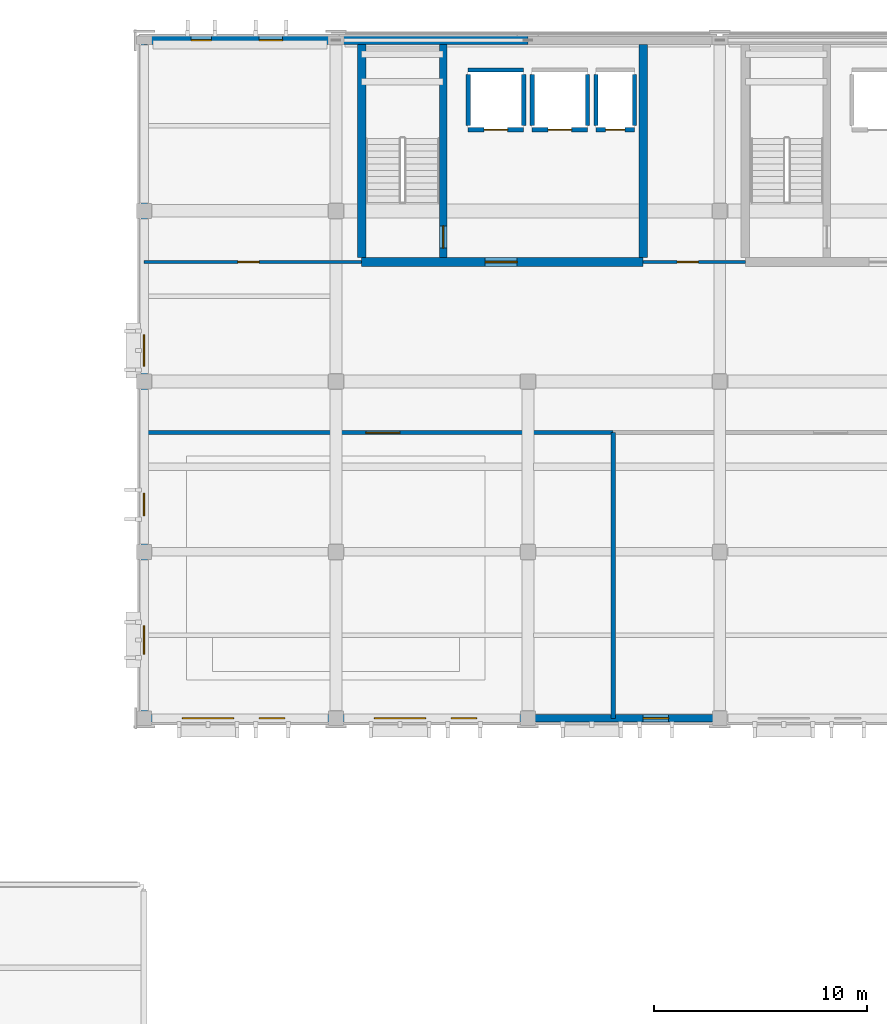
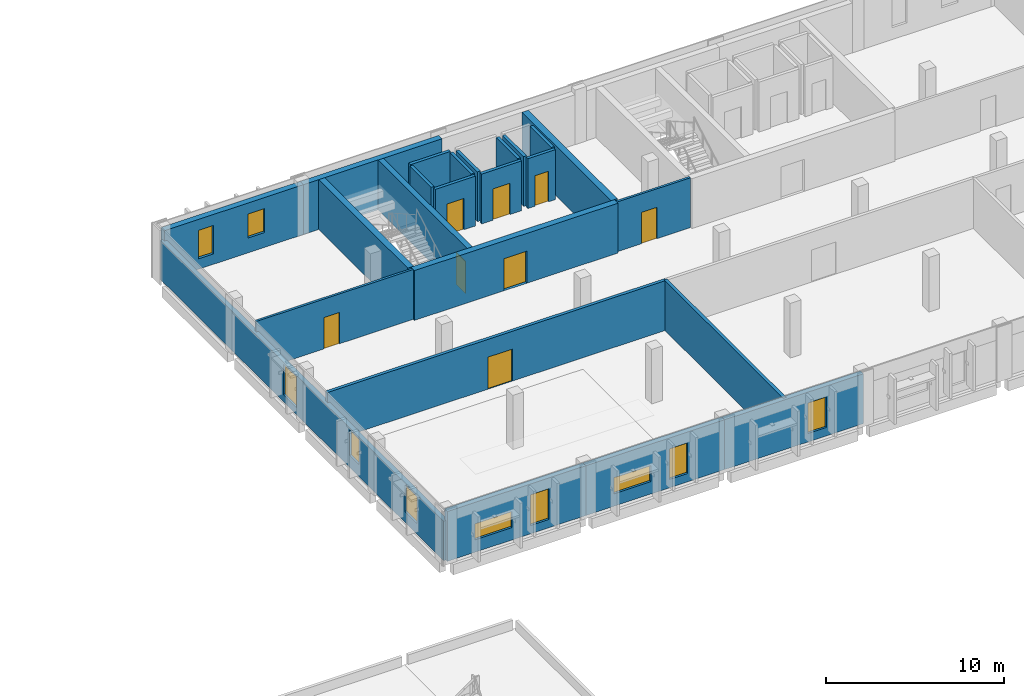
# One storey, part 52 of 73: 24 walls, 10 windows, 8 doors, 18 openings.
"""IFC4 building model written with IfcOpenShell, lengths in metres."""

from ifc_helpers import new_model, si_unit, direction, frame, frame_2d, origin, place, context, subcontext, project, spatial, rectangle, extrude, material, layer, layer_set, type_object, element, fill, save


model = new_model("IFC4")

# Units and contexts
model_context = context("Model", 3, precision=1e-05, world=origin(), true_north=direction((0.0, 1.0)))
body_context = subcontext(model_context, "Body", "Model", "MODEL_VIEW")
ifc_project = project(units=[si_unit("LENGTHUNIT", "METRE"), si_unit("AREAUNIT", "SQUARE_METRE"), si_unit("VOLUMEUNIT", "CUBIC_METRE"), si_unit("PLANEANGLEUNIT", "RADIAN"), si_unit("MASSUNIT", "GRAM", prefix="KILO")], contexts=[model_context])

# Site, building, storey
site_placement = place(None, origin())
site = spatial("IfcSite", under=ifc_project, at=site_placement, CompositionType="ELEMENT")
building_placement = place(site_placement, origin())
building = spatial("IfcBuilding", under=site, at=building_placement, Name="Vervanel Yard Central Library", CompositionType="ELEMENT")
storey_placement = place(building_placement, frame((0.0, 0.0, 12.780029296875)))
storey = spatial("IfcBuildingStorey", under=building, at=storey_placement, Name="L03", CompositionType="ELEMENT", Elevation=12.780029296875)

# Wall, openings, windows
ifc_material_1 = material(Name="Precast concrete C45/55", Category="concrete")
ifc_layer_1 = layer(ifc_material_1, 0.300048828125, Category="concrete")
ifc_layer_set_1 = layer_set([ifc_layer_1], Name="Precast concrete C45/55")
wall_type_1 = type_object("IfcWallType", Name="Bush-Hammered Precast Cladding Wall 300", PredefinedType="SOLIDWALL", material=ifc_layer_set_1)
wall_1_placement = place(storey_placement, frame((36.0, 82.199951171875, 0.0), z_axis=(0.0, 0.0, 1.0), x_axis=(0.0, 1.0, 0.0)))
wall_1 = element("IfcWall", 1, at=wall_1_placement, inside=storey, type_object=wall_type_1, Name="L03 Bush-Hammered Precast Cladding Wall 300 EWALL-L03-0056", PredefinedType="SOLIDWALL", context=body_context, shape_type="SweptSolid", body=[
    extrude(rectangle(XDim=31.800048828125, YDim=0.300048828125, at=frame_2d((15.89990234375, 0.0))), origin(), (0.0, 0.0, 1.0), 2.705078125),
])
opening_1_placement = place(wall_1_placement, frame((3.0, 0.0, 0.735107421875)))
opening_1 = element("IfcOpeningElement", 2, at=opening_1_placement, cuts=wall_1, Name="Opening WN-17", PredefinedType="OPENING", context=body_context, shape_type="SweptSolid", body=[
    extrude(rectangle(XDim=1.35009765625, YDim=1.85009765625, at=frame_2d((0.675048828125, 0.925048828125))), frame((0.0, 0.159912109375, 0.0), z_axis=(0.0, -1.0, 0.0), x_axis=(1.0, 0.0, 0.0)), (0.0, 0.0, 1.0), 0.320068359375),
])
opening_2_placement = place(wall_1_placement, frame((9.5, 0.0, 0.8349609375)))
opening_2 = element("IfcOpeningElement", 3, at=opening_2_placement, cuts=wall_1, Name="Opening WN-16", PredefinedType="OPENING", context=body_context, shape_type="SweptSolid", body=[
    extrude(rectangle(XDim=1.050048828125, YDim=1.75, at=frame_2d((0.52490234375, 0.875))), frame((0.0, 0.159912109375, 0.0), z_axis=(0.0, -1.0, 0.0), x_axis=(1.0, 0.0, 0.0)), (0.0, 0.0, 1.0), 0.320068359375),
])
opening_3_placement = place(wall_1_placement, frame((16.5, 0.0, 0.485107421875)))
opening_3 = element("IfcOpeningElement", 4, at=opening_3_placement, cuts=wall_1, Name="Opening WN-02", PredefinedType="OPENING", context=body_context, shape_type="SweptSolid", body=[
    extrude(rectangle(XDim=1.5, YDim=2.10009765625, at=frame_2d((0.75, 1.050048828125))), frame((0.0, 0.159912109375, 0.0), z_axis=(0.0, -1.0, 0.0), x_axis=(1.0, 0.0, 0.0)), (0.0, 0.0, 1.0), 0.320068359375),
])
ifc_material_2 = material(Name="Double low-E laminated solar-control glass", Category="glass")
window_type_1 = type_object("IfcWindowType", Name="Archive Office Window 1350x1850", PartitioningType="SINGLE_PANEL", PredefinedType="WINDOW", material=ifc_material_2)
window_1_placement = place(opening_1_placement, origin())
window_1 = element("IfcWindow", 5, at=window_1_placement, inside=storey, type_object=window_type_1, Name="L03 Archive Office Window 1350x1850 78", OverallHeight=1.85009765625, OverallWidth=1.35009765625, PartitioningType="SINGLE_PANEL", PredefinedType="WINDOW", context=body_context, shape_type="SweptSolid", body=[
    extrude(rectangle(XDim=1.35009765625, YDim=1.85009765625, at=frame_2d((0.675048828125, 0.925048828125))), frame((0.0, 0.030029296875, 0.0), z_axis=(0.0, -1.0, 0.0), x_axis=(1.0, 0.0, 0.0)), (0.0, 0.0, 1.0), 0.06005859375),
])
fill(opening_1, window_1)
window_type_2 = type_object("IfcWindowType", Name="Reading Bay Window 1500x2100", PartitioningType="SINGLE_PANEL", PredefinedType="WINDOW", material=ifc_material_2)
window_2_placement = place(opening_3_placement, origin())
window_2 = element("IfcWindow", 6, at=window_2_placement, inside=storey, type_object=window_type_2, Name="L03 Reading Bay Window 1500x2100 80", OverallHeight=2.10009765625, OverallWidth=1.5, PartitioningType="SINGLE_PANEL", PredefinedType="WINDOW", context=body_context, shape_type="SweptSolid", body=[
    extrude(rectangle(XDim=1.5, YDim=2.10009765625, at=frame_2d((0.75, 1.050048828125))), frame((0.0, 0.030029296875, 0.0), z_axis=(0.0, -1.0, 0.0), x_axis=(1.0, 0.0, 0.0)), (0.0, 0.0, 1.0), 0.06005859375),
])
fill(opening_3, window_2)
window_type_3 = type_object("IfcWindowType", Name="Study Carrel Punch Window 1050x1750", PartitioningType="SINGLE_PANEL", PredefinedType="WINDOW", material=ifc_material_2)
window_3_placement = place(opening_2_placement, origin())
window_3 = element("IfcWindow", 7, at=window_3_placement, inside=storey, type_object=window_type_3, Name="L03 Study Carrel Punch Window 1050x1750 79", OverallHeight=1.75, OverallWidth=1.050048828125, PartitioningType="SINGLE_PANEL", PredefinedType="WINDOW", context=body_context, shape_type="SweptSolid", body=[
    extrude(rectangle(XDim=1.050048828125, YDim=1.75, at=frame_2d((0.52490234375, 0.875))), frame((0.0, 0.030029296875, 0.0), z_axis=(0.0, -1.0, 0.0), x_axis=(1.0, 0.0, 0.0)), (0.0, 0.0, 1.0), 0.06005859375),
])
fill(opening_2, window_3)

# Wall, opening, door
ifc_material_3 = material(Name="Concrete C45/55", Category="concrete")
ifc_layer_2 = layer(ifc_material_3, 0.39990234375, Category="concrete")
ifc_layer_set_2 = layer_set([ifc_layer_2], Name="Concrete C45/55")
wall_type_2 = type_object("IfcWallType", Name="Core Primary Shear Wall 400", PredefinedType="SHEAR", material=ifc_layer_set_2)
wall_2_placement = place(storey_placement, frame((46.199951171875, 103.60009765625, 0.0), z_axis=(0.0, 0.0, 1.0), x_axis=(1.0, 0.0, 0.0)))
wall_2 = element("IfcWall", 8, at=wall_2_placement, inside=storey, type_object=wall_type_2, Name="L03 CORE-A Shear Wall S", PredefinedType="SHEAR", context=body_context, shape_type="SweptSolid", body=[
    extrude(rectangle(XDim=13.199951171875, YDim=0.39990234375, at=frame_2d((6.60009765625, 0.0))), origin(), (0.0, 0.0, 1.0), 3.419921875),
])
opening_4_placement = place(wall_2_placement, frame((5.800048828125, 0.0, 0.0)))
opening_4 = element("IfcOpeningElement", 9, at=opening_4_placement, cuts=wall_2, Name="Opening DR-F02", PredefinedType="OPENING", context=body_context, shape_type="SweptSolid", body=[
    extrude(rectangle(XDim=1.5, YDim=2.199951171875, at=frame_2d((0.75, 1.10009765625))), frame((0.0, 0.2099609375, 0.0), z_axis=(0.0, -1.0, 0.0), x_axis=(1.0, 0.0, 0.0)), (0.0, 0.0, 1.0), 0.419921875),
])
ifc_material_4 = material(Name="Galvanized painted steelwork ASTM A500 Grade C", Category="steel")
door_type_1 = type_object("IfcDoorType", Name="Fire-Rated Lobby Door 1500x2200", OperationType="NOTDEFINED", PredefinedType="DOOR", material=ifc_material_4)
door_1_placement = place(opening_4_placement, origin())
door_1 = element("IfcDoor", 10, at=door_1_placement, inside=storey, type_object=door_type_1, Name="L03 CORE-A Lobby Fire Door", OperationType="DOUBLE_DOOR_SINGLE_SWING", OverallHeight=2.199951171875, OverallWidth=1.5, PredefinedType="DOOR", context=body_context, shape_type="SweptSolid", body=[
    extrude(rectangle(XDim=1.5, YDim=2.199951171875, at=frame_2d((0.75, 1.10009765625))), frame((0.0, 0.02490234375, 0.0), z_axis=(0.0, -1.0, 0.0), x_axis=(1.0, 0.0, 0.0)), (0.0, 0.0, 1.0), 0.050048828125),
])
fill(opening_4, door_1)

# Walls
for number, where, z_axis, x_axis, name in (
    (11, (46.199951171875, 103.800048828125, 0.0), (0.0, 0.0, 1.0), (0.0, 1.0, 0.0), "L03 CORE-A Shear Wall W"),
    (12, (59.39990234375, 103.800048828125, 0.0), (0.0, 0.0, 1.0), (0.0, 1.0, 0.0), "L03 CORE-A Shear Wall E"),
):
    element("IfcWall", number, at=place(storey_placement, frame(where, z_axis=z_axis, x_axis=x_axis)), inside=storey, type_object=wall_type_2, Name=name, PredefinedType="SHEAR", context=body_context, shape_type="SweptSolid", body=[
        extrude(rectangle(XDim=10.010009765625, YDim=0.39990234375, at=frame_2d((5.0048828125, 0.0))), origin(), (0.0, 0.0, 1.0), 3.419921875),
    ])

# Wall, opening, door
ifc_layer_3 = layer(ifc_material_3, 0.35009765625, Category="concrete")
ifc_layer_set_3 = layer_set([ifc_layer_3], Name="Concrete C45/55")
wall_type_3 = type_object("IfcWallType", Name="Core Secondary Shear Wall 350", PredefinedType="SHEAR", material=ifc_layer_set_3)
wall_3_placement = place(storey_placement, frame((50.02490234375, 103.800048828125, 0.0), z_axis=(0.0, 0.0, 1.0), x_axis=(0.0, 1.0, 0.0)))
wall_3 = element("IfcWall", 13, at=wall_3_placement, inside=storey, type_object=wall_type_3, Name="L03 CORE-A Stair Shaft Wall", PredefinedType="SHEAR", context=body_context, shape_type="SweptSolid", body=[
    extrude(rectangle(XDim=10.010009765625, YDim=0.35009765625, at=frame_2d((5.0048828125, 0.0))), origin(), (0.0, 0.0, 1.0), 3.419921875),
])
opening_5_placement = place(wall_3_placement, frame((0.449951171875, 0.0, 0.0)))
opening_5 = element("IfcOpeningElement", 14, at=opening_5_placement, cuts=wall_3, Name="Opening DR-F01", PredefinedType="OPENING", context=body_context, shape_type="SweptSolid", body=[
    extrude(rectangle(XDim=1.050048828125, YDim=2.199951171875, at=frame_2d((0.52490234375, 1.10009765625))), frame((0.0, 0.18505859375, 0.0), z_axis=(0.0, -1.0, 0.0), x_axis=(1.0, 0.0, 0.0)), (0.0, 0.0, 1.0), 0.3701171875),
])
door_type_2 = type_object("IfcDoorType", Name="Fire-Rated Stair Exit Door 1050x2200", OperationType="NOTDEFINED", PredefinedType="DOOR", material=ifc_material_4)
door_2_placement = place(opening_5_placement, origin())
door_2 = element("IfcDoor", 15, at=door_2_placement, inside=storey, type_object=door_type_2, Name="L03 CORE-A Stair Door", OperationType="SINGLE_SWING_RIGHT", OverallHeight=2.199951171875, OverallWidth=1.050048828125, PredefinedType="DOOR", context=body_context, shape_type="SweptSolid", body=[
    extrude(rectangle(XDim=1.050048828125, YDim=2.199951171875, at=frame_2d((0.52490234375, 1.10009765625))), frame((0.0, 0.02490234375, 0.0), z_axis=(0.0, -1.0, 0.0), x_axis=(1.0, 0.0, 0.0)), (0.0, 0.0, 1.0), 0.050048828125),
])
fill(opening_5, door_2)

# Wall, openings, windows
ifc_layer_4 = layer(ifc_material_3, 0.340087890625, Category="concrete")
ifc_layer_set_4 = layer_set([ifc_layer_4], Name="Concrete C45/55")
wall_type_4 = type_object("IfcWallType", Name="Exterior Bearing Concrete Frame Wall 340", PredefinedType="SOLIDWALL", material=ifc_layer_set_4)
wall_4_placement = place(storey_placement, frame((36.0, 82.199951171875, 0.0), z_axis=(0.0, 0.0, 1.0), x_axis=(1.0, 0.0, 0.0)))
wall_4 = element("IfcWall", 16, at=wall_4_placement, inside=storey, type_object=wall_type_4, Name="L03 Exterior Bearing Concrete Frame Wall 340 EWALL-L03-0050", PredefinedType="SOLIDWALL", context=body_context, shape_type="SweptSolid", body=[
    extrude(rectangle(XDim=9.0, YDim=0.340087890625, at=frame_2d((4.5, 0.0))), origin(), (0.0, 0.0, 1.0), 3.419921875),
])
opening_6_placement = place(wall_4_placement, frame((1.800048828125, 0.0, 0.85009765625)))
opening_6 = element("IfcOpeningElement", 17, at=opening_6_placement, cuts=wall_4, Name="Opening WN-06", PredefinedType="OPENING", context=body_context, shape_type="SweptSolid", body=[
    extrude(rectangle(XDim=2.39990234375, YDim=1.10009765625, at=frame_2d((1.199951171875, 0.550048828125))), frame((0.0, 0.179931640625, 0.0), z_axis=(0.0, -1.0, 0.0), x_axis=(1.0, 0.0, 0.0)), (0.0, 0.0, 1.0), 0.360107421875),
])
opening_7_placement = place(wall_4_placement, frame((5.39990234375, 0.0, 0.574951171875)))
opening_7 = element("IfcOpeningElement", 18, at=opening_7_placement, cuts=wall_4, Name="Opening WN-01", PredefinedType="OPENING", context=body_context, shape_type="SweptSolid", body=[
    extrude(rectangle(XDim=1.199951171875, YDim=2.10009765625, at=frame_2d((0.60009765625, 1.050048828125))), frame((0.0, 0.179931640625, 0.0), z_axis=(0.0, -1.0, 0.0), x_axis=(1.0, 0.0, 0.0)), (0.0, 0.0, 1.0), 0.360107421875),
])
window_type_4 = type_object("IfcWindowType", Name="Reading Slot Window 1200x2100", PartitioningType="SINGLE_PANEL", PredefinedType="WINDOW", material=ifc_material_2)
window_4_placement = place(opening_7_placement, origin())
window_4 = element("IfcWindow", 19, at=window_4_placement, inside=storey, type_object=window_type_4, Name="L03 Reading Slot Window 1200x2100 67", OverallHeight=2.10009765625, OverallWidth=1.199951171875, PartitioningType="SINGLE_PANEL", PredefinedType="WINDOW", context=body_context, shape_type="SweptSolid", body=[
    extrude(rectangle(XDim=1.199951171875, YDim=2.10009765625, at=frame_2d((0.60009765625, 1.050048828125))), frame((0.0, 0.030029296875, 0.0), z_axis=(0.0, -1.0, 0.0), x_axis=(1.0, 0.0, 0.0)), (0.0, 0.0, 1.0), 0.06005859375),
])
fill(opening_7, window_4)
window_type_5 = type_object("IfcWindowType", Name="Stack Clerestory Ribbon Window 2400x1100", PartitioningType="SINGLE_PANEL", PredefinedType="WINDOW", material=ifc_material_2)
window_5_placement = place(opening_6_placement, origin())
window_5 = element("IfcWindow", 20, at=window_5_placement, inside=storey, type_object=window_type_5, Name="L03 Stack Clerestory Ribbon Window 2400x1100 66", OverallHeight=1.10009765625, OverallWidth=2.39990234375, PartitioningType="SINGLE_PANEL", PredefinedType="WINDOW", context=body_context, shape_type="SweptSolid", body=[
    extrude(rectangle(XDim=2.39990234375, YDim=1.10009765625, at=frame_2d((1.199951171875, 0.550048828125))), frame((0.0, 0.030029296875, 0.0), z_axis=(0.0, -1.0, 0.0), x_axis=(1.0, 0.0, 0.0)), (0.0, 0.0, 1.0), 0.06005859375),
])
fill(opening_6, window_5)

wall_5_placement = place(storey_placement, frame((45.0, 82.199951171875, 0.0), z_axis=(0.0, 0.0, 1.0), x_axis=(1.0, 0.0, 0.0)))
wall_5 = element("IfcWall", 21, at=wall_5_placement, inside=storey, type_object=wall_type_4, Name="L03 Exterior Bearing Concrete Frame Wall 340 EWALL-L03-0051", PredefinedType="SOLIDWALL", context=body_context, shape_type="SweptSolid", body=[
    extrude(rectangle(XDim=9.0, YDim=0.340087890625, at=frame_2d((4.5, 0.0))), origin(), (0.0, 0.0, 1.0), 3.419921875),
])
opening_8_placement = place(wall_5_placement, frame((1.800048828125, 0.0, 0.85009765625)))
opening_8 = element("IfcOpeningElement", 22, at=opening_8_placement, cuts=wall_5, Name="Opening WN-06", PredefinedType="OPENING", context=body_context, shape_type="SweptSolid", body=[
    extrude(rectangle(XDim=2.39990234375, YDim=1.10009765625, at=frame_2d((1.199951171875, 0.550048828125))), frame((0.0, 0.179931640625, 0.0), z_axis=(0.0, -1.0, 0.0), x_axis=(1.0, 0.0, 0.0)), (0.0, 0.0, 1.0), 0.360107421875),
])
opening_9_placement = place(wall_5_placement, frame((5.39990234375, 0.0, 0.574951171875)))
opening_9 = element("IfcOpeningElement", 23, at=opening_9_placement, cuts=wall_5, Name="Opening WN-01", PredefinedType="OPENING", context=body_context, shape_type="SweptSolid", body=[
    extrude(rectangle(XDim=1.199951171875, YDim=2.10009765625, at=frame_2d((0.60009765625, 1.050048828125))), frame((0.0, 0.179931640625, 0.0), z_axis=(0.0, -1.0, 0.0), x_axis=(1.0, 0.0, 0.0)), (0.0, 0.0, 1.0), 0.360107421875),
])
window_6_placement = place(opening_9_placement, origin())
window_6 = element("IfcWindow", 24, at=window_6_placement, inside=storey, type_object=window_type_4, Name="L03 Reading Slot Window 1200x2100 69", OverallHeight=2.10009765625, OverallWidth=1.199951171875, PartitioningType="SINGLE_PANEL", PredefinedType="WINDOW", context=body_context, shape_type="SweptSolid", body=[
    extrude(rectangle(XDim=1.199951171875, YDim=2.10009765625, at=frame_2d((0.60009765625, 1.050048828125))), frame((0.0, 0.030029296875, 0.0), z_axis=(0.0, -1.0, 0.0), x_axis=(1.0, 0.0, 0.0)), (0.0, 0.0, 1.0), 0.06005859375),
])
fill(opening_9, window_6)
window_7_placement = place(opening_8_placement, origin())
window_7 = element("IfcWindow", 25, at=window_7_placement, inside=storey, type_object=window_type_5, Name="L03 Stack Clerestory Ribbon Window 2400x1100 68", OverallHeight=1.10009765625, OverallWidth=2.39990234375, PartitioningType="SINGLE_PANEL", PredefinedType="WINDOW", context=body_context, shape_type="SweptSolid", body=[
    extrude(rectangle(XDim=2.39990234375, YDim=1.10009765625, at=frame_2d((1.199951171875, 0.550048828125))), frame((0.0, 0.030029296875, 0.0), z_axis=(0.0, -1.0, 0.0), x_axis=(1.0, 0.0, 0.0)), (0.0, 0.0, 1.0), 0.06005859375),
])
fill(opening_8, window_7)

# Wall, opening, window
wall_6_placement = place(storey_placement, frame((54.0, 82.199951171875, 0.0), z_axis=(0.0, 0.0, 1.0), x_axis=(1.0, 0.0, 0.0)))
wall_6 = element("IfcWall", 26, at=wall_6_placement, inside=storey, type_object=wall_type_4, Name="L03 Exterior Bearing Concrete Frame Wall 340 EWALL-L03-0052", PredefinedType="SOLIDWALL", context=body_context, shape_type="SweptSolid", body=[
    extrude(rectangle(XDim=9.0, YDim=0.340087890625, at=frame_2d((4.5, 0.0))), origin(), (0.0, 0.0, 1.0), 3.419921875),
])
opening_10_placement = place(wall_6_placement, frame((5.39990234375, 0.0, 0.574951171875)))
opening_10 = element("IfcOpeningElement", 27, at=opening_10_placement, cuts=wall_6, Name="Opening WN-01", PredefinedType="OPENING", context=body_context, shape_type="SweptSolid", body=[
    extrude(rectangle(XDim=1.199951171875, YDim=2.10009765625, at=frame_2d((0.60009765625, 1.050048828125))), frame((0.0, 0.179931640625, 0.0), z_axis=(0.0, -1.0, 0.0), x_axis=(1.0, 0.0, 0.0)), (0.0, 0.0, 1.0), 0.360107421875),
])
window_8_placement = place(opening_10_placement, origin())
window_8 = element("IfcWindow", 28, at=window_8_placement, inside=storey, type_object=window_type_4, Name="L03 Reading Slot Window 1200x2100 71", OverallHeight=2.10009765625, OverallWidth=1.199951171875, PartitioningType="SINGLE_PANEL", PredefinedType="WINDOW", context=body_context, shape_type="SweptSolid", body=[
    extrude(rectangle(XDim=1.199951171875, YDim=2.10009765625, at=frame_2d((0.60009765625, 1.050048828125))), frame((0.0, 0.030029296875, 0.0), z_axis=(0.0, -1.0, 0.0), x_axis=(1.0, 0.0, 0.0)), (0.0, 0.0, 1.0), 0.06005859375),
])
fill(opening_10, window_8)

# Wall, openings, windows
ifc_layer_5 = layer(ifc_material_3, 0.3798828125, Category="concrete")
ifc_layer_set_5 = layer_set([ifc_layer_5], Name="Concrete C45/55")
wall_type_5 = type_object("IfcWallType", Name="Exterior Bearing Concrete Spine Wall 380", PredefinedType="SOLIDWALL", material=ifc_layer_set_5)
wall_7_placement = place(storey_placement, frame((36.0, 114.0, 0.0), z_axis=(0.0, 0.0, 1.0), x_axis=(1.0, 0.0, 0.0)))
wall_7 = element("IfcWall", 29, at=wall_7_placement, inside=storey, type_object=wall_type_5, Name="L03 Exterior Bearing Concrete Spine Wall 380 EWALL-L03-0044", PredefinedType="SOLIDWALL", context=body_context, shape_type="SweptSolid", body=[
    extrude(rectangle(XDim=9.0, YDim=0.3798828125, at=frame_2d((4.5, 0.0))), origin(), (0.0, 0.0, 1.0), 3.419921875),
])
opening_11_placement = place(wall_7_placement, frame((2.199951171875, 0.0, 0.715087890625)))
opening_11 = element("IfcOpeningElement", 30, at=opening_11_placement, cuts=wall_7, Name="Opening WN-22", PredefinedType="OPENING", context=body_context, shape_type="SweptSolid", body=[
    extrude(rectangle(XDim=0.9599609375, YDim=1.949951171875, at=frame_2d((0.47998046875, 0.97509765625))), frame((0.0, 0.199951171875, 0.0), z_axis=(0.0, -1.0, 0.0), x_axis=(1.0, 0.0, 0.0)), (0.0, 0.0, 1.0), 0.39990234375),
])
opening_12_placement = place(wall_7_placement, frame((5.39990234375, 0.0, 1.014892578125)))
opening_12 = element("IfcOpeningElement", 31, at=opening_12_placement, cuts=wall_7, Name="Opening WN-28", PredefinedType="OPENING", context=body_context, shape_type="SweptSolid", body=[
    extrude(rectangle(XDim=1.10009765625, YDim=1.64990234375, at=frame_2d((0.550048828125, 0.824951171875))), frame((0.0, 0.199951171875, 0.0), z_axis=(0.0, -1.0, 0.0), x_axis=(1.0, 0.0, 0.0)), (0.0, 0.0, 1.0), 0.39990234375),
])
window_type_6 = type_object("IfcWindowType", Name="Stack Upper Window 960x1950", PartitioningType="SINGLE_PANEL", PredefinedType="WINDOW", material=ifc_material_2)
window_9_placement = place(opening_11_placement, origin())
window_9 = element("IfcWindow", 32, at=window_9_placement, inside=storey, type_object=window_type_6, Name="L03 Stack Upper Window 960x1950 62", OverallHeight=1.949951171875, OverallWidth=0.9599609375, PartitioningType="SINGLE_PANEL", PredefinedType="WINDOW", context=body_context, shape_type="SweptSolid", body=[
    extrude(rectangle(XDim=0.9599609375, YDim=1.949951171875, at=frame_2d((0.47998046875, 0.97509765625))), frame((0.0, 0.030029296875, 0.0), z_axis=(0.0, -1.0, 0.0), x_axis=(1.0, 0.0, 0.0)), (0.0, 0.0, 1.0), 0.06005859375),
])
fill(opening_11, window_9)
window_type_7 = type_object("IfcWindowType", Name="Vault Vestibule Window 1100x1650", PartitioningType="SINGLE_PANEL", PredefinedType="WINDOW", material=ifc_material_2)
window_10_placement = place(opening_12_placement, origin())
window_10 = element("IfcWindow", 33, at=window_10_placement, inside=storey, type_object=window_type_7, Name="L03 Vault Vestibule Window 1100x1650 63", OverallHeight=1.64990234375, OverallWidth=1.10009765625, PartitioningType="SINGLE_PANEL", PredefinedType="WINDOW", context=body_context, shape_type="SweptSolid", body=[
    extrude(rectangle(XDim=1.10009765625, YDim=1.64990234375, at=frame_2d((0.550048828125, 0.824951171875))), frame((0.0, 0.030029296875, 0.0), z_axis=(0.0, -1.0, 0.0), x_axis=(1.0, 0.0, 0.0)), (0.0, 0.0, 1.0), 0.06005859375),
])
fill(opening_12, window_10)

# Wall
wall_8_placement = place(storey_placement, frame((45.0, 114.0, 0.0), z_axis=(0.0, 0.0, 1.0), x_axis=(1.0, 0.0, 0.0)))
element("IfcWall", 34, at=wall_8_placement, inside=storey, type_object=wall_type_5, Name="L03 Exterior Bearing Concrete Spine Wall 380 EWALL-L03-0045", PredefinedType="SOLIDWALL", context=body_context, shape_type="SweptSolid", body=[
    extrude(rectangle(XDim=9.0, YDim=0.3798828125, at=frame_2d((4.5, 0.0))), origin(), (0.0, 0.0, 1.0), 3.419921875),
])

# Wall, opening, door
ifc_material_5 = material(Name="Fire-rated gypsum board on steel studs", Category="steel")
ifc_layer_6 = layer(ifc_material_5, 0.14990234375, Category="steel")
ifc_layer_set_6 = layer_set([ifc_layer_6], Name="Fire-rated gypsum board on steel studs")
wall_type_6 = type_object("IfcWallType", Name="Interior Partition 150", PredefinedType="PARTITIONING", material=ifc_layer_set_6)
wall_9_placement = place(storey_placement, frame((36.0, 103.60009765625, 0.0), z_axis=(0.0, 0.0, 1.0), x_axis=(1.0, 0.0, 0.0)))
wall_9 = element("IfcWall", 35, at=wall_9_placement, inside=storey, type_object=wall_type_6, Name="L03 Interior Partition 150 IPART-L03-0101", PredefinedType="PARTITIONING", context=body_context, shape_type="SweptSolid", body=[
    extrude(rectangle(XDim=10.199951171875, YDim=0.14990234375, at=frame_2d((5.10009765625, 0.0))), origin(), (0.0, 0.0, 1.0), 3.419921875),
])
opening_13_placement = place(wall_9_placement, frame((4.39990234375, 0.0, 0.0)))
opening_13 = element("IfcOpeningElement", 36, at=opening_13_placement, cuts=wall_9, Name="Opening DR-01", PredefinedType="OPENING", context=body_context, shape_type="SweptSolid", body=[
    extrude(rectangle(XDim=1.0, YDim=2.14990234375, at=frame_2d((0.5, 1.074951171875))), frame((0.0, 0.0849609375, 0.0), z_axis=(0.0, -1.0, 0.0), x_axis=(1.0, 0.0, 0.0)), (0.0, 0.0, 1.0), 0.169921875),
])
ifc_material_6 = material(Name="Solid white oak acoustic joinery", Category="wood")
door_type_3 = type_object("IfcDoorType", Name="Interior Single Door 1000x2150", OperationType="NOTDEFINED", PredefinedType="DOOR", material=ifc_material_6)
door_3_placement = place(opening_13_placement, origin())
door_3 = element("IfcDoor", 37, at=door_3_placement, inside=storey, type_object=door_type_3, Name="L03 Interior Single Door 1000x2150 IDOOR-L03-0078", OperationType="SINGLE_SWING_LEFT", OverallHeight=2.14990234375, OverallWidth=1.0, PredefinedType="DOOR", context=body_context, shape_type="SweptSolid", body=[
    extrude(rectangle(XDim=1.0, YDim=2.14990234375, at=frame_2d((0.5, 1.074951171875))), frame((0.0, 0.02490234375, 0.0), z_axis=(0.0, -1.0, 0.0), x_axis=(1.0, 0.0, 0.0)), (0.0, 0.0, 1.0), 0.050048828125),
])
fill(opening_13, door_3)

wall_10_placement = place(storey_placement, frame((59.39990234375, 103.60009765625, 0.0), z_axis=(0.0, 0.0, 1.0), x_axis=(1.0, 0.0, 0.0)))
wall_10 = element("IfcWall", 38, at=wall_10_placement, inside=storey, type_object=wall_type_6, Name="L03 Interior Partition 150 IPART-L03-0102", PredefinedType="PARTITIONING", context=body_context, shape_type="SweptSolid", body=[
    extrude(rectangle(XDim=4.800048828125, YDim=0.14990234375, at=frame_2d((2.39990234375, 0.0))), origin(), (0.0, 0.0, 1.0), 3.419921875),
])
opening_14_placement = place(wall_10_placement, frame((1.60009765625, 0.0, 0.0)))
opening_14 = element("IfcOpeningElement", 39, at=opening_14_placement, cuts=wall_10, Name="Opening DR-01", PredefinedType="OPENING", context=body_context, shape_type="SweptSolid", body=[
    extrude(rectangle(XDim=1.0, YDim=2.14990234375, at=frame_2d((0.5, 1.074951171875))), frame((0.0, 0.0849609375, 0.0), z_axis=(0.0, -1.0, 0.0), x_axis=(1.0, 0.0, 0.0)), (0.0, 0.0, 1.0), 0.169921875),
])
door_4_placement = place(opening_14_placement, origin())
door_4 = element("IfcDoor", 40, at=door_4_placement, inside=storey, type_object=door_type_3, Name="L03 Interior Single Door 1000x2150 IDOOR-L03-0079", OperationType="SINGLE_SWING_RIGHT", OverallHeight=2.14990234375, OverallWidth=1.0, PredefinedType="DOOR", context=body_context, shape_type="SweptSolid", body=[
    extrude(rectangle(XDim=1.0, YDim=2.14990234375, at=frame_2d((0.5, 1.074951171875))), frame((0.0, 0.02490234375, 0.0), z_axis=(0.0, -1.0, 0.0), x_axis=(1.0, 0.0, 0.0)), (0.0, 0.0, 1.0), 0.050048828125),
])
fill(opening_14, door_4)

ifc_material_7 = material(Name="Concrete C40/50", Category="concrete")
ifc_layer_7 = layer(ifc_material_7, 0.199951171875, Category="concrete")
ifc_layer_set_7 = layer_set([ifc_layer_7], Name="Concrete C40/50")
wall_type_7 = type_object("IfcWallType", Name="Shaft & Plant Rated Wall 200", PredefinedType="PARTITIONING", material=ifc_layer_set_7)
wall_11_placement = place(storey_placement, frame((51.199951171875, 109.800048828125, 0.0), z_axis=(0.0, 0.0, 1.0), x_axis=(1.0, 0.0, 0.0)))
wall_11 = element("IfcWall", 41, at=wall_11_placement, inside=storey, type_object=wall_type_7, Name="L03 CORE-A-L03-EL-01 Shaft Wall S", PredefinedType="PARTITIONING", context=body_context, shape_type="SweptSolid", body=[
    extrude(rectangle(XDim=2.60009765625, YDim=0.199951171875, at=frame_2d((1.300048828125, 0.0))), origin(), (0.0, 0.0, 1.0), 3.419921875),
])
opening_15_placement = place(wall_11_placement, frame((0.75, 0.0, 0.0)))
opening_15 = element("IfcOpeningElement", 42, at=opening_15_placement, cuts=wall_11, Name="Opening LD-01", PredefinedType="OPENING", context=body_context, shape_type="SweptSolid", body=[
    extrude(rectangle(XDim=1.10009765625, YDim=2.14990234375, at=frame_2d((0.550048828125, 1.074951171875))), frame((0.0, 0.10986328125, 0.0), z_axis=(0.0, -1.0, 0.0), x_axis=(1.0, 0.0, 0.0)), (0.0, 0.0, 1.0), 0.219970703125),
])
ifc_material_8 = material(Name="Brushed stainless steel AISI 316", Category="steel")
door_type_4 = type_object("IfcDoorType", Name="Passenger Lift Sliding Landing Door 1100x2150", OperationType="NOTDEFINED", PredefinedType="DOOR", material=ifc_material_8)
door_5_placement = place(opening_15_placement, origin())
door_5 = element("IfcDoor", 43, at=door_5_placement, inside=storey, type_object=door_type_4, Name="L03 Lift EL-01 Landing Door", OperationType="SLIDING_TO_LEFT", OverallHeight=2.14990234375, OverallWidth=1.10009765625, PredefinedType="DOOR", context=body_context, shape_type="SweptSolid", body=[
    extrude(rectangle(XDim=1.10009765625, YDim=2.14990234375, at=frame_2d((0.550048828125, 1.074951171875))), frame((0.0, 0.02490234375, 0.0), z_axis=(0.0, -1.0, 0.0), x_axis=(1.0, 0.0, 0.0)), (0.0, 0.0, 1.0), 0.050048828125),
])
fill(opening_15, door_5)

# Walls
wall_12_placement = place(storey_placement, frame((51.199951171875, 112.60009765625, 0.0), z_axis=(0.0, 0.0, 1.0), x_axis=(1.0, 0.0, 0.0)))
element("IfcWall", 44, at=wall_12_placement, inside=storey, type_object=wall_type_7, Name="L03 CORE-A-L03-EL-01 Shaft Wall N", PredefinedType="PARTITIONING", context=body_context, shape_type="SweptSolid", body=[
    extrude(rectangle(XDim=2.60009765625, YDim=0.199951171875, at=frame_2d((1.300048828125, 0.0))), origin(), (0.0, 0.0, 1.0), 3.419921875),
])
for number, where, z_axis, x_axis, name in (
    (45, (51.199951171875, 110.0, 0.0), (0.0, 0.0, 1.0), (0.0, 1.0, 0.0), "L03 CORE-A-L03-EL-01 Shaft Wall W"),
    (46, (53.800048828125, 110.0, 0.0), (0.0, 0.0, 1.0), (0.0, 1.0, 0.0), "L03 CORE-A-L03-EL-01 Shaft Wall E"),
):
    element("IfcWall", number, at=place(storey_placement, frame(where, z_axis=z_axis, x_axis=x_axis)), inside=storey, type_object=wall_type_7, Name=name, PredefinedType="PARTITIONING", context=body_context, shape_type="SweptSolid", body=[
        extrude(rectangle(XDim=2.39990234375, YDim=0.199951171875, at=frame_2d((1.199951171875, 0.0))), origin(), (0.0, 0.0, 1.0), 3.419921875),
    ])

# Wall, opening, door
wall_13_placement = place(storey_placement, frame((54.199951171875, 109.800048828125, 0.0), z_axis=(0.0, 0.0, 1.0), x_axis=(1.0, 0.0, 0.0)))
wall_13 = element("IfcWall", 47, at=wall_13_placement, inside=storey, type_object=wall_type_7, Name="L03 CORE-A-L03-EL-02 Shaft Wall S", PredefinedType="PARTITIONING", context=body_context, shape_type="SweptSolid", body=[
    extrude(rectangle(XDim=2.60009765625, YDim=0.199951171875, at=frame_2d((1.300048828125, 0.0))), origin(), (0.0, 0.0, 1.0), 3.419921875),
])
opening_16_placement = place(wall_13_placement, frame((0.75, 0.0, 0.0)))
opening_16 = element("IfcOpeningElement", 48, at=opening_16_placement, cuts=wall_13, Name="Opening LD-01", PredefinedType="OPENING", context=body_context, shape_type="SweptSolid", body=[
    extrude(rectangle(XDim=1.10009765625, YDim=2.14990234375, at=frame_2d((0.550048828125, 1.074951171875))), frame((0.0, 0.10986328125, 0.0), z_axis=(0.0, -1.0, 0.0), x_axis=(1.0, 0.0, 0.0)), (0.0, 0.0, 1.0), 0.219970703125),
])
door_6_placement = place(opening_16_placement, origin())
door_6 = element("IfcDoor", 49, at=door_6_placement, inside=storey, type_object=door_type_4, Name="L03 Lift EL-02 Landing Door", OperationType="SLIDING_TO_RIGHT", OverallHeight=2.14990234375, OverallWidth=1.10009765625, PredefinedType="DOOR", context=body_context, shape_type="SweptSolid", body=[
    extrude(rectangle(XDim=1.10009765625, YDim=2.14990234375, at=frame_2d((0.550048828125, 1.074951171875))), frame((0.0, 0.02490234375, 0.0), z_axis=(0.0, -1.0, 0.0), x_axis=(1.0, 0.0, 0.0)), (0.0, 0.0, 1.0), 0.050048828125),
])
fill(opening_16, door_6)

# Walls
for number, where, z_axis, x_axis, name in (
    (50, (54.199951171875, 110.0, 0.0), (0.0, 0.0, 1.0), (0.0, 1.0, 0.0), "L03 CORE-A-L03-EL-02 Shaft Wall W"),
    (51, (56.800048828125, 110.0, 0.0), (0.0, 0.0, 1.0), (0.0, 1.0, 0.0), "L03 CORE-A-L03-EL-02 Shaft Wall E"),
):
    element("IfcWall", number, at=place(storey_placement, frame(where, z_axis=z_axis, x_axis=x_axis)), inside=storey, type_object=wall_type_7, Name=name, PredefinedType="PARTITIONING", context=body_context, shape_type="SweptSolid", body=[
        extrude(rectangle(XDim=2.39990234375, YDim=0.199951171875, at=frame_2d((1.199951171875, 0.0))), origin(), (0.0, 0.0, 1.0), 3.419921875),
    ])

# Wall, opening, door
wall_14_placement = place(storey_placement, frame((57.199951171875, 109.800048828125, 0.0), z_axis=(0.0, 0.0, 1.0), x_axis=(1.0, 0.0, 0.0)))
wall_14 = element("IfcWall", 52, at=wall_14_placement, inside=storey, type_object=wall_type_7, Name="L03 CORE-A-L03-RIS Shaft Wall S", PredefinedType="PARTITIONING", context=body_context, shape_type="SweptSolid", body=[
    extrude(rectangle(XDim=1.800048828125, YDim=0.199951171875, at=frame_2d((0.89990234375, 0.0))), origin(), (0.0, 0.0, 1.0), 3.419921875),
])
opening_17_placement = place(wall_14_placement, frame((0.449951171875, 0.0, 0.0)))
opening_17 = element("IfcOpeningElement", 53, at=opening_17_placement, cuts=wall_14, Name="Opening DR-03", PredefinedType="OPENING", context=body_context, shape_type="SweptSolid", body=[
    extrude(rectangle(XDim=0.89990234375, YDim=2.10009765625, at=frame_2d((0.449951171875, 1.050048828125))), frame((0.0, 0.10986328125, 0.0), z_axis=(0.0, -1.0, 0.0), x_axis=(1.0, 0.0, 0.0)), (0.0, 0.0, 1.0), 0.219970703125),
])
door_type_5 = type_object("IfcDoorType", Name="Interior Riser Access Door 900x2100", OperationType="NOTDEFINED", PredefinedType="DOOR", material=ifc_material_4)
door_7_placement = place(opening_17_placement, origin())
door_7 = element("IfcDoor", 54, at=door_7_placement, inside=storey, type_object=door_type_5, Name="L03 CORE-A Riser Access Door", OperationType="SINGLE_SWING_RIGHT", OverallHeight=2.10009765625, OverallWidth=0.89990234375, PredefinedType="DOOR", context=body_context, shape_type="SweptSolid", body=[
    extrude(rectangle(XDim=0.89990234375, YDim=2.10009765625, at=frame_2d((0.449951171875, 1.050048828125))), frame((0.0, 0.02490234375, 0.0), z_axis=(0.0, -1.0, 0.0), x_axis=(1.0, 0.0, 0.0)), (0.0, 0.0, 1.0), 0.050048828125),
])
fill(opening_17, door_7)

# Walls
for number, where, z_axis, x_axis, name in (
    (55, (57.199951171875, 110.0, 0.0), (0.0, 0.0, 1.0), (0.0, 1.0, 0.0), "L03 CORE-A-L03-RIS Shaft Wall W"),
    (56, (59.0, 110.0, 0.0), (0.0, 0.0, 1.0), (0.0, 1.0, 0.0), "L03 CORE-A-L03-RIS Shaft Wall E"),
):
    element("IfcWall", number, at=place(storey_placement, frame(where, z_axis=z_axis, x_axis=x_axis)), inside=storey, type_object=wall_type_7, Name=name, PredefinedType="PARTITIONING", context=body_context, shape_type="SweptSolid", body=[
        extrude(rectangle(XDim=2.39990234375, YDim=0.199951171875, at=frame_2d((1.199951171875, 0.0))), origin(), (0.0, 0.0, 1.0), 3.419921875),
    ])

# Wall, opening, door
wall_15_placement = place(storey_placement, frame((36.0, 95.60009765625, 0.0), z_axis=(0.0, 0.0, 1.0), x_axis=(1.0, 0.0, 0.0)))
wall_15 = element("IfcWall", 57, at=wall_15_placement, inside=storey, type_object=wall_type_7, Name="L03 Shaft & Plant Rated Wall 200 IPART-L03-0092", PredefinedType="PARTITIONING", context=body_context, shape_type="SweptSolid", body=[
    extrude(rectangle(XDim=22.0, YDim=0.199951171875, at=frame_2d((11.0, 0.0))), origin(), (0.0, 0.0, 1.0), 3.419921875),
])
opening_18_placement = place(wall_15_placement, frame((10.39990234375, 0.0, 0.0)))
opening_18 = element("IfcOpeningElement", 58, at=opening_18_placement, cuts=wall_15, Name="Opening DR-F03", PredefinedType="OPENING", context=body_context, shape_type="SweptSolid", body=[
    extrude(rectangle(XDim=1.60009765625, YDim=2.199951171875, at=frame_2d((0.800048828125, 1.10009765625))), frame((0.0, 0.10986328125, 0.0), z_axis=(0.0, -1.0, 0.0), x_axis=(1.0, 0.0, 0.0)), (0.0, 0.0, 1.0), 0.219970703125),
])
door_type_6 = type_object("IfcDoorType", Name="Fire-Rated Plant Double Door 1600x2200", OperationType="NOTDEFINED", PredefinedType="DOOR", material=ifc_material_4)
door_8_placement = place(opening_18_placement, origin())
door_8 = element("IfcDoor", 59, at=door_8_placement, inside=storey, type_object=door_type_6, Name="L03 Fire-Rated Plant Double Door 1600x2200 IDOOR-L03-0073", OperationType="DOUBLE_DOOR_SINGLE_SWING", OverallHeight=2.199951171875, OverallWidth=1.60009765625, PredefinedType="DOOR", context=body_context, shape_type="SweptSolid", body=[
    extrude(rectangle(XDim=1.60009765625, YDim=2.199951171875, at=frame_2d((0.800048828125, 1.10009765625))), frame((0.0, 0.02490234375, 0.0), z_axis=(0.0, -1.0, 0.0), x_axis=(1.0, 0.0, 0.0)), (0.0, 0.0, 1.0), 0.050048828125),
])
fill(opening_18, door_8)

# Wall
wall_16_placement = place(storey_placement, frame((58.0, 82.199951171875, 0.0), z_axis=(0.0, 0.0, 1.0), x_axis=(0.0, 1.0, 0.0)))
element("IfcWall", 60, at=wall_16_placement, inside=storey, type_object=wall_type_7, Name="L03 Shaft & Plant Rated Wall 200 IPART-L03-0094", PredefinedType="PARTITIONING", context=body_context, shape_type="SweptSolid", body=[
    extrude(rectangle(XDim=13.400146484375, YDim=0.199951171875, at=frame_2d((6.7001953125, 0.0))), origin(), (0.0, 0.0, 1.0), 3.419921875),
])

save(model, "model.ifc")
